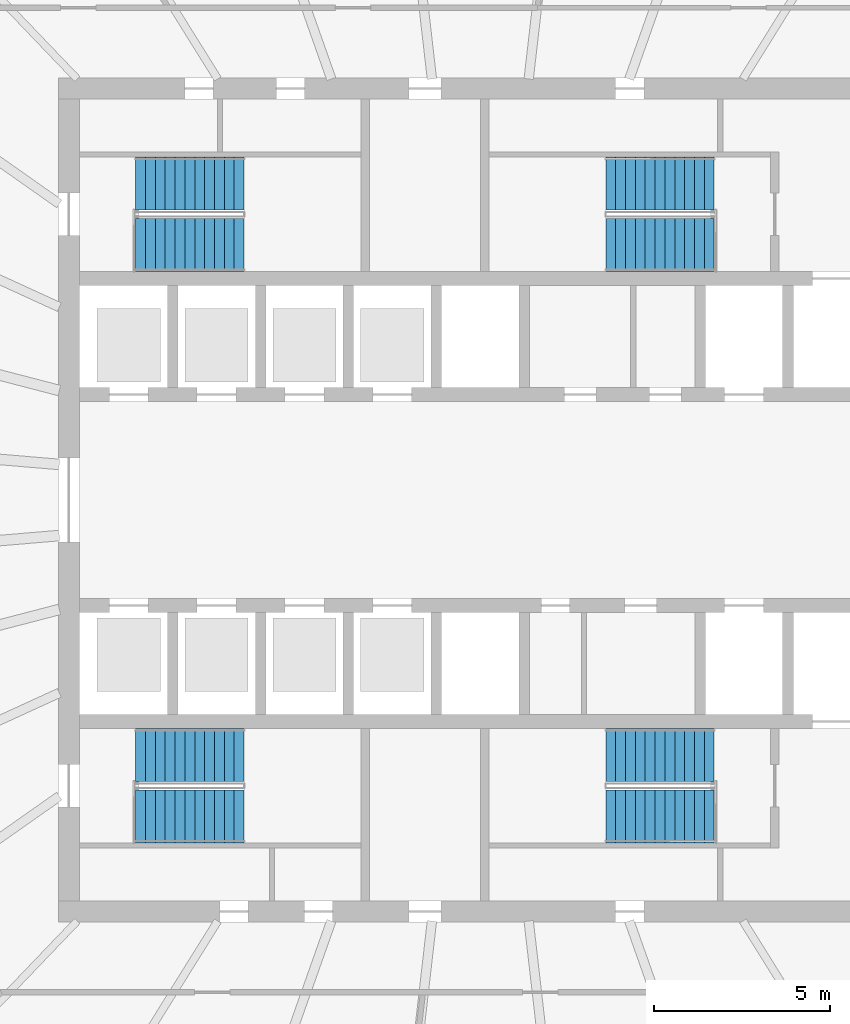
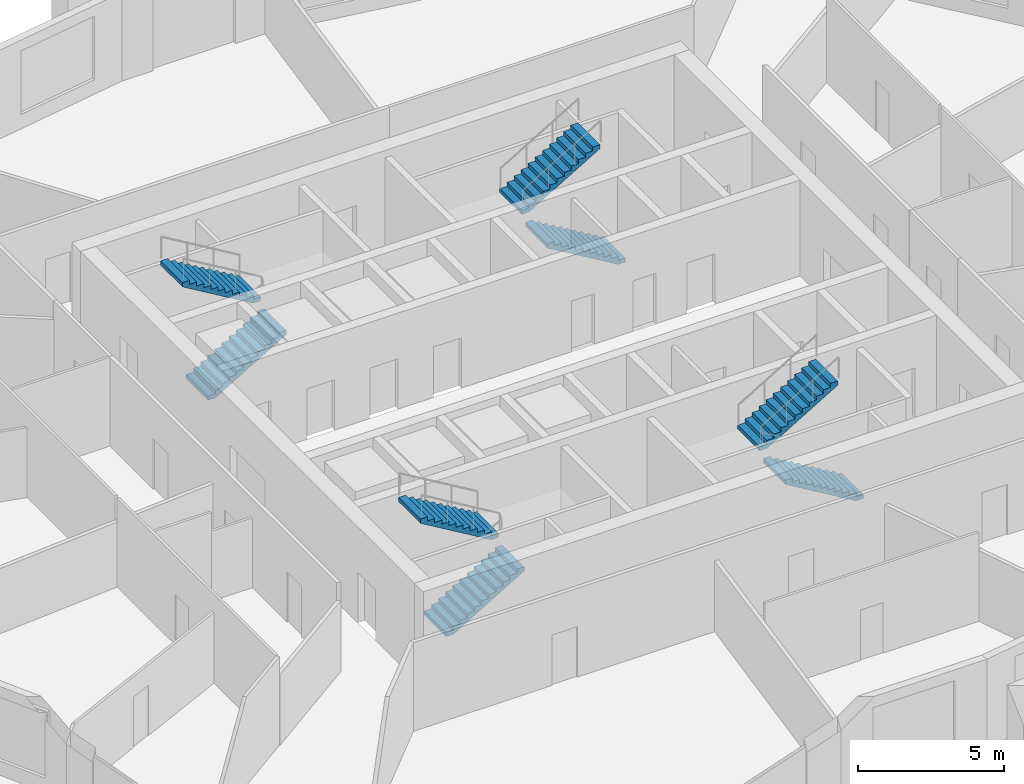
# One storey, part 8 of 11: 8 stair flights, 4 elements without a shape of their own.
"""IFC4 building model written with IfcOpenShell, lengths in metres."""

from ifc_helpers import new_model, si_unit, direction, frame, origin, place, context, subcontext, project, spatial, polyline, outline, extrude, material, type_object, element, aggregate, save


model = new_model("IFC4")

# Units and contexts
model_context = context("Model", 3, precision=1e-05, world=origin(), true_north=direction((0.0, 1.0)))
body_context = subcontext(model_context, "Body", "Model", "MODEL_VIEW")
ifc_project = project(units=[si_unit("LENGTHUNIT", "METRE"), si_unit("AREAUNIT", "SQUARE_METRE"), si_unit("VOLUMEUNIT", "CUBIC_METRE"), si_unit("PLANEANGLEUNIT", "RADIAN"), si_unit("MASSUNIT", "GRAM", prefix="KILO")], contexts=[model_context])

# Site, building, storey
site_placement = place(None, origin())
site = spatial("IfcSite", under=ifc_project, at=site_placement, CompositionType="ELEMENT")
building_placement = place(site_placement, origin())
building = spatial("IfcBuilding", under=site, at=building_placement, Name="Halqa Exchange Tower", CompositionType="ELEMENT")
storey_placement = place(building_placement, frame((0.0, 0.0, 218.89990234375)))
storey = spatial("IfcBuildingStorey", under=building, at=storey_placement, Name="L50", CompositionType="ELEMENT", Elevation=218.89990234375)

# Stair, stair flights
ifc_material = material(Name="Concrete C30/37", Category="concrete")
stair_type = type_object("IfcStairType", Name="Exit stair 1500 wide", PredefinedType="HALF_TURN_STAIR", material=ifc_material)
stair_1_placement = place(storey_placement, origin())
stair_1 = element("IfcStair", 1, at=stair_1_placement, inside=storey, type_object=stair_type, Name="Exit stair ST1", PredefinedType="HALF_TURN_STAIR")
stair_flight_type = type_object("IfcStairFlightType", Name="Stair flight 1500 wide", PredefinedType="STRAIGHT", material=ifc_material)
stair_flight_1_placement = place(storey_placement, frame((-9.800048828125, 7.25, 0.0), z_axis=(0.0, 0.0, 1.0), x_axis=(1.0, 0.0, 0.0)))
stair_flight_1 = element("IfcStairFlight", 2, at=stair_flight_1_placement, type_object=stair_flight_type, Name="ST1 flight 1", NumberOfRisers=12, NumberOfTreads=11, PredefinedType="STRAIGHT", RiserHeight=0.166666667, TreadLength=0.28, context=body_context, shape_type="SweptSolid", body=[
    extrude(outline(polyline([(0.0, 0.0), (0.0, 0.166748046875), (0.280029296875, 0.166748046875), (0.280029296875, 0.333251953125), (0.56005859375, 0.333251953125), (0.56005859375, 0.5), (0.840087890625, 0.5), (0.840087890625, 0.666748046875), (1.1201171875, 0.666748046875), (1.1201171875, 0.833251953125), (1.39990234375, 0.833251953125), (1.39990234375, 1.0), (1.679931640625, 1.0), (1.679931640625, 1.166748046875), (1.9599609375, 1.166748046875), (1.9599609375, 1.333251953125), (2.239990234375, 1.333251953125), (2.239990234375, 1.5), (2.52001953125, 1.5), (2.52001953125, 1.666748046875), (2.800048828125, 1.666748046875), (2.800048828125, 1.833251953125), (3.080078125, 1.833251953125), (3.080078125, 2.0), (3.080078125, 1.658935546875), (0.29296875, 0.0), (0.0, 0.0)])), frame((0.0, 0.75, 0.0), z_axis=(0.0, -1.0, 0.0), x_axis=(1.0, 0.0, 0.0)), (0.0, 0.0, 1.0), 1.5),
])
stair_flight_2_placement = place(storey_placement, frame((-6.719970703125, 9.0, 2.0), z_axis=(0.0, 0.0, 1.0), x_axis=(-1.0, 0.0, 0.0)))
stair_flight_2 = element("IfcStairFlight", 3, at=stair_flight_2_placement, type_object=stair_flight_type, Name="ST1 flight 2", NumberOfRisers=12, NumberOfTreads=11, PredefinedType="STRAIGHT", RiserHeight=0.166666667, TreadLength=0.28, context=body_context, shape_type="SweptSolid", body=[
    extrude(outline(polyline([(0.0, 0.0), (0.0, 0.166748046875), (0.280029296875, 0.166748046875), (0.280029296875, 0.333251953125), (0.56005859375, 0.333251953125), (0.56005859375, 0.5), (0.840087890625, 0.5), (0.840087890625, 0.666748046875), (1.1201171875, 0.666748046875), (1.1201171875, 0.833251953125), (1.39990234375, 0.833251953125), (1.39990234375, 1.0), (1.679931640625, 1.0), (1.679931640625, 1.166748046875), (1.9599609375, 1.166748046875), (1.9599609375, 1.333251953125), (2.239990234375, 1.333251953125), (2.239990234375, 1.5), (2.52001953125, 1.5), (2.52001953125, 1.666748046875), (2.800048828125, 1.666748046875), (2.800048828125, 1.833251953125), (3.080078125, 1.833251953125), (3.080078125, 2.0), (3.080078125, 1.658935546875), (0.29296875, 0.0), (0.0, 0.0)])), frame((0.0, 0.75, 0.0), z_axis=(0.0, -1.0, 0.0), x_axis=(1.0, 0.0, 0.0)), (0.0, 0.0, 1.0), 1.5),
])
aggregate(stair_1, [stair_flight_1, stair_flight_2])

stair_2_placement = place(storey_placement, origin())
stair_2 = element("IfcStair", 4, at=stair_2_placement, inside=storey, type_object=stair_type, Name="Exit stair ST2", PredefinedType="HALF_TURN_STAIR")
stair_flight_3_placement = place(storey_placement, frame((6.64990234375, 7.25, 0.0), z_axis=(0.0, 0.0, 1.0), x_axis=(-1.0, 0.0, 0.0)))
stair_flight_3 = element("IfcStairFlight", 5, at=stair_flight_3_placement, type_object=stair_flight_type, Name="ST2 flight 1", NumberOfRisers=12, NumberOfTreads=11, PredefinedType="STRAIGHT", RiserHeight=0.166666667, TreadLength=0.28, context=body_context, shape_type="SweptSolid", body=[
    extrude(outline(polyline([(0.0, 0.0), (0.0, 0.166748046875), (0.280029296875, 0.166748046875), (0.280029296875, 0.333251953125), (0.56005859375, 0.333251953125), (0.56005859375, 0.5), (0.840087890625, 0.5), (0.840087890625, 0.666748046875), (1.1201171875, 0.666748046875), (1.1201171875, 0.833251953125), (1.39990234375, 0.833251953125), (1.39990234375, 1.0), (1.679931640625, 1.0), (1.679931640625, 1.166748046875), (1.9599609375, 1.166748046875), (1.9599609375, 1.333251953125), (2.239990234375, 1.333251953125), (2.239990234375, 1.5), (2.52001953125, 1.5), (2.52001953125, 1.666748046875), (2.800048828125, 1.666748046875), (2.800048828125, 1.833251953125), (3.080078125, 1.833251953125), (3.080078125, 2.0), (3.080078125, 1.658935546875), (0.29296875, 0.0), (0.0, 0.0)])), frame((0.0, 0.75, 0.0), z_axis=(0.0, -1.0, 0.0), x_axis=(1.0, 0.0, 0.0)), (0.0, 0.0, 1.0), 1.5),
])
stair_flight_4_placement = place(storey_placement, frame((3.570068359375, 9.0, 2.0), z_axis=(0.0, 0.0, 1.0), x_axis=(1.0, 0.0, 0.0)))
stair_flight_4 = element("IfcStairFlight", 6, at=stair_flight_4_placement, type_object=stair_flight_type, Name="ST2 flight 2", NumberOfRisers=12, NumberOfTreads=11, PredefinedType="STRAIGHT", RiserHeight=0.166666667, TreadLength=0.28, context=body_context, shape_type="SweptSolid", body=[
    extrude(outline(polyline([(0.0, 0.0), (0.0, 0.166748046875), (0.280029296875, 0.166748046875), (0.280029296875, 0.333251953125), (0.56005859375, 0.333251953125), (0.56005859375, 0.5), (0.840087890625, 0.5), (0.840087890625, 0.666748046875), (1.1201171875, 0.666748046875), (1.1201171875, 0.833251953125), (1.39990234375, 0.833251953125), (1.39990234375, 1.0), (1.679931640625, 1.0), (1.679931640625, 1.166748046875), (1.9599609375, 1.166748046875), (1.9599609375, 1.333251953125), (2.239990234375, 1.333251953125), (2.239990234375, 1.5), (2.52001953125, 1.5), (2.52001953125, 1.666748046875), (2.800048828125, 1.666748046875), (2.800048828125, 1.833251953125), (3.080078125, 1.833251953125), (3.080078125, 2.0), (3.080078125, 1.658935546875), (0.29296875, 0.0), (0.0, 0.0)])), frame((0.0, 0.75, 0.0), z_axis=(0.0, -1.0, 0.0), x_axis=(1.0, 0.0, 0.0)), (0.0, 0.0, 1.0), 1.5),
])
aggregate(stair_2, [stair_flight_3, stair_flight_4])

stair_3_placement = place(storey_placement, origin())
stair_3 = element("IfcStair", 7, at=stair_3_placement, inside=storey, type_object=stair_type, Name="Exit stair ST3", PredefinedType="HALF_TURN_STAIR")
stair_flight_5_placement = place(storey_placement, frame((-9.800048828125, -9.0, 0.0), z_axis=(0.0, 0.0, 1.0), x_axis=(1.0, 0.0, 0.0)))
stair_flight_5 = element("IfcStairFlight", 8, at=stair_flight_5_placement, type_object=stair_flight_type, Name="ST3 flight 1", NumberOfRisers=12, NumberOfTreads=11, PredefinedType="STRAIGHT", RiserHeight=0.166666667, TreadLength=0.28, context=body_context, shape_type="SweptSolid", body=[
    extrude(outline(polyline([(0.0, 0.0), (0.0, 0.166748046875), (0.280029296875, 0.166748046875), (0.280029296875, 0.333251953125), (0.56005859375, 0.333251953125), (0.56005859375, 0.5), (0.840087890625, 0.5), (0.840087890625, 0.666748046875), (1.1201171875, 0.666748046875), (1.1201171875, 0.833251953125), (1.39990234375, 0.833251953125), (1.39990234375, 1.0), (1.679931640625, 1.0), (1.679931640625, 1.166748046875), (1.9599609375, 1.166748046875), (1.9599609375, 1.333251953125), (2.239990234375, 1.333251953125), (2.239990234375, 1.5), (2.52001953125, 1.5), (2.52001953125, 1.666748046875), (2.800048828125, 1.666748046875), (2.800048828125, 1.833251953125), (3.080078125, 1.833251953125), (3.080078125, 2.0), (3.080078125, 1.658935546875), (0.29296875, 0.0), (0.0, 0.0)])), frame((0.0, 0.75, 0.0), z_axis=(0.0, -1.0, 0.0), x_axis=(1.0, 0.0, 0.0)), (0.0, 0.0, 1.0), 1.5),
])
stair_flight_6_placement = place(storey_placement, frame((-6.719970703125, -7.25, 2.0), z_axis=(0.0, 0.0, 1.0), x_axis=(-1.0, 0.0, 0.0)))
stair_flight_6 = element("IfcStairFlight", 9, at=stair_flight_6_placement, type_object=stair_flight_type, Name="ST3 flight 2", NumberOfRisers=12, NumberOfTreads=11, PredefinedType="STRAIGHT", RiserHeight=0.166666667, TreadLength=0.28, context=body_context, shape_type="SweptSolid", body=[
    extrude(outline(polyline([(0.0, 0.0), (0.0, 0.166748046875), (0.280029296875, 0.166748046875), (0.280029296875, 0.333251953125), (0.56005859375, 0.333251953125), (0.56005859375, 0.5), (0.840087890625, 0.5), (0.840087890625, 0.666748046875), (1.1201171875, 0.666748046875), (1.1201171875, 0.833251953125), (1.39990234375, 0.833251953125), (1.39990234375, 1.0), (1.679931640625, 1.0), (1.679931640625, 1.166748046875), (1.9599609375, 1.166748046875), (1.9599609375, 1.333251953125), (2.239990234375, 1.333251953125), (2.239990234375, 1.5), (2.52001953125, 1.5), (2.52001953125, 1.666748046875), (2.800048828125, 1.666748046875), (2.800048828125, 1.833251953125), (3.080078125, 1.833251953125), (3.080078125, 2.0), (3.080078125, 1.658935546875), (0.29296875, 0.0), (0.0, 0.0)])), frame((0.0, 0.75, 0.0), z_axis=(0.0, -1.0, 0.0), x_axis=(1.0, 0.0, 0.0)), (0.0, 0.0, 1.0), 1.5),
])
aggregate(stair_3, [stair_flight_5, stair_flight_6])

stair_4_placement = place(storey_placement, origin())
stair_4 = element("IfcStair", 10, at=stair_4_placement, inside=storey, type_object=stair_type, Name="Exit stair ST4", PredefinedType="HALF_TURN_STAIR")
stair_flight_7_placement = place(storey_placement, frame((6.64990234375, -9.0, 0.0), z_axis=(0.0, 0.0, 1.0), x_axis=(-1.0, 0.0, 0.0)))
stair_flight_7 = element("IfcStairFlight", 11, at=stair_flight_7_placement, type_object=stair_flight_type, Name="ST4 flight 1", NumberOfRisers=12, NumberOfTreads=11, PredefinedType="STRAIGHT", RiserHeight=0.166666667, TreadLength=0.28, context=body_context, shape_type="SweptSolid", body=[
    extrude(outline(polyline([(0.0, 0.0), (0.0, 0.166748046875), (0.280029296875, 0.166748046875), (0.280029296875, 0.333251953125), (0.56005859375, 0.333251953125), (0.56005859375, 0.5), (0.840087890625, 0.5), (0.840087890625, 0.666748046875), (1.1201171875, 0.666748046875), (1.1201171875, 0.833251953125), (1.39990234375, 0.833251953125), (1.39990234375, 1.0), (1.679931640625, 1.0), (1.679931640625, 1.166748046875), (1.9599609375, 1.166748046875), (1.9599609375, 1.333251953125), (2.239990234375, 1.333251953125), (2.239990234375, 1.5), (2.52001953125, 1.5), (2.52001953125, 1.666748046875), (2.800048828125, 1.666748046875), (2.800048828125, 1.833251953125), (3.080078125, 1.833251953125), (3.080078125, 2.0), (3.080078125, 1.658935546875), (0.29296875, 0.0), (0.0, 0.0)])), frame((0.0, 0.75, 0.0), z_axis=(0.0, -1.0, 0.0), x_axis=(1.0, 0.0, 0.0)), (0.0, 0.0, 1.0), 1.5),
])
stair_flight_8_placement = place(storey_placement, frame((3.570068359375, -7.25, 2.0), z_axis=(0.0, 0.0, 1.0), x_axis=(1.0, 0.0, 0.0)))
stair_flight_8 = element("IfcStairFlight", 12, at=stair_flight_8_placement, type_object=stair_flight_type, Name="ST4 flight 2", NumberOfRisers=12, NumberOfTreads=11, PredefinedType="STRAIGHT", RiserHeight=0.166666667, TreadLength=0.28, context=body_context, shape_type="SweptSolid", body=[
    extrude(outline(polyline([(0.0, 0.0), (0.0, 0.166748046875), (0.280029296875, 0.166748046875), (0.280029296875, 0.333251953125), (0.56005859375, 0.333251953125), (0.56005859375, 0.5), (0.840087890625, 0.5), (0.840087890625, 0.666748046875), (1.1201171875, 0.666748046875), (1.1201171875, 0.833251953125), (1.39990234375, 0.833251953125), (1.39990234375, 1.0), (1.679931640625, 1.0), (1.679931640625, 1.166748046875), (1.9599609375, 1.166748046875), (1.9599609375, 1.333251953125), (2.239990234375, 1.333251953125), (2.239990234375, 1.5), (2.52001953125, 1.5), (2.52001953125, 1.666748046875), (2.800048828125, 1.666748046875), (2.800048828125, 1.833251953125), (3.080078125, 1.833251953125), (3.080078125, 2.0), (3.080078125, 1.658935546875), (0.29296875, 0.0), (0.0, 0.0)])), frame((0.0, 0.75, 0.0), z_axis=(0.0, -1.0, 0.0), x_axis=(1.0, 0.0, 0.0)), (0.0, 0.0, 1.0), 1.5),
])
aggregate(stair_4, [stair_flight_7, stair_flight_8])

save(model, "model.ifc")
